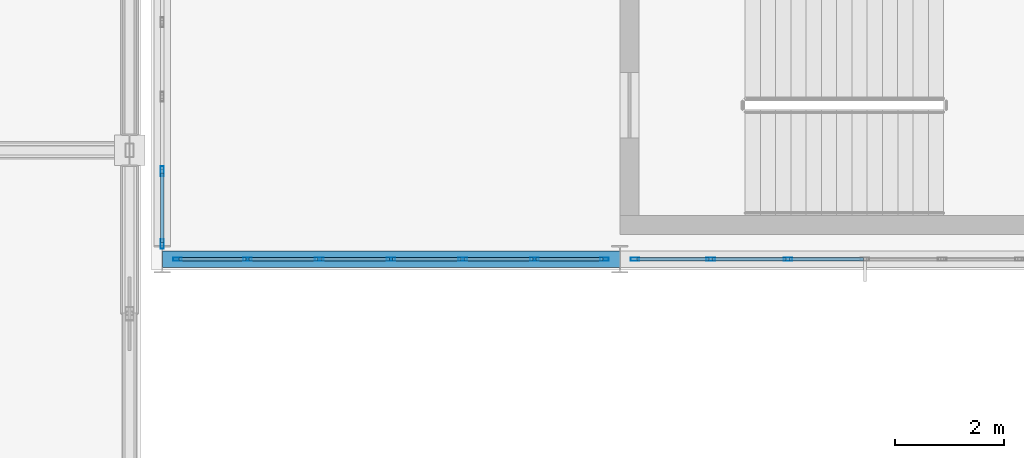
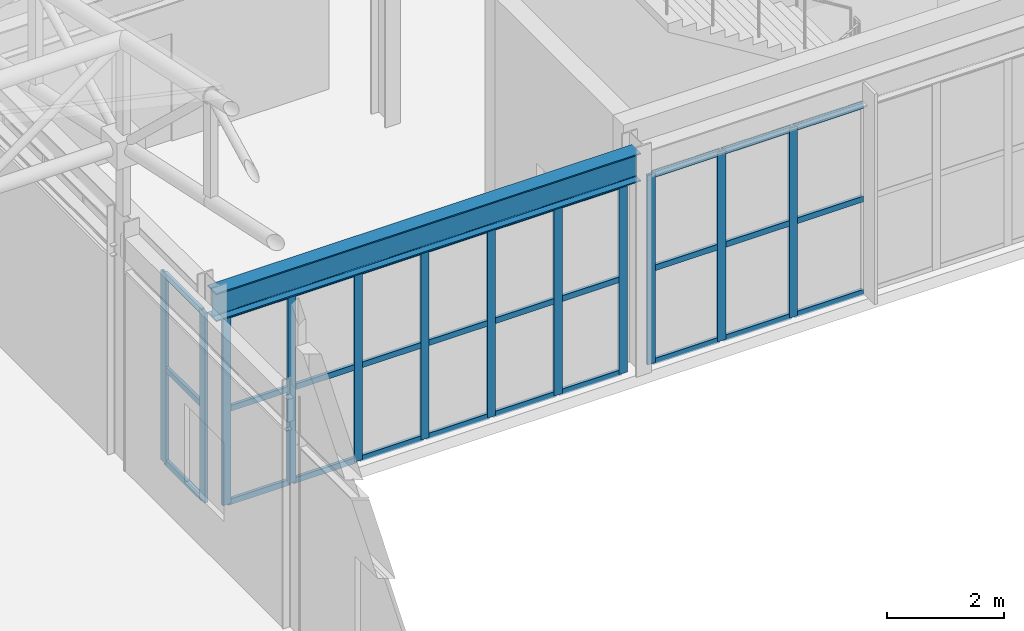
# One storey, part 25 of 112: 42 members, 1 beam, 3 elements without a shape of their own.
"""IFC4 building model written with IfcOpenShell, lengths in metres."""

from ifc_helpers import new_model, si_unit, direction, frame, origin, origin_2d, place, context, subcontext, project, spatial, hollow_rectangle, i_section, extrude, material, material_profile, profile_set, type_object, element, aggregate, save


model = new_model("IFC4")

# Units and contexts
model_context = context("Model", 3, precision=1e-05, world=origin(), true_north=direction((0.0, 1.0)))
body_context = subcontext(model_context, "Body", "Model", "MODEL_VIEW")
ifc_project = project(units=[si_unit("LENGTHUNIT", "METRE"), si_unit("AREAUNIT", "SQUARE_METRE"), si_unit("VOLUMEUNIT", "CUBIC_METRE"), si_unit("PLANEANGLEUNIT", "RADIAN"), si_unit("MASSUNIT", "GRAM", prefix="KILO")], contexts=[model_context])

# Site, building, storey
site_placement = place(None, origin())
site = spatial("IfcSite", under=ifc_project, at=site_placement, CompositionType="ELEMENT")
building_placement = place(site_placement, origin())
building = spatial("IfcBuilding", under=site, at=building_placement, Name="Kaldris Quays Convention Centre", CompositionType="ELEMENT")
storey_placement = place(building_placement, frame((0.0, 0.0, 16.800048828125)))
storey = spatial("IfcBuildingStorey", under=building, at=storey_placement, Name="L03", CompositionType="ELEMENT", Elevation=16.800048828125)

# Curtain wall, members
ifc_material_1 = material(Name="Anodized aluminium AW-6060 and triple glazing", Category="aluminium")
curtain_wall_type = type_object("IfcCurtainWallType", Name="UNITISED CURTAIN WALL CW04", PredefinedType="NOTDEFINED", material=ifc_material_1)
curtain_wall_1_placement = place(storey_placement, origin())
curtain_wall_1 = element("IfcCurtainWall", 1, at=curtain_wall_1_placement, inside=storey, type_object=curtain_wall_type, Name="L03 Unitised Curtain Wall CW04 121", PredefinedType="NOTDEFINED")
ifc_material_2 = material(Name="Anodized aluminium AW-6060", Category="aluminium")
ifc_material_profile_1 = material_profile(ifc_material_2, hollow_rectangle(XDim=0.06005859375, YDim=0.159912109375, WallThickness=0.00390625, at=origin_2d()), Name="RHS 160x60x4")
ifc_profile_set_1 = profile_set([ifc_material_profile_1], Name="Anodized aluminium AW-6060")
member_type_1 = type_object("IfcMemberType", Name="CURTAIN MULLION CWM1", PredefinedType="MULLION", material=ifc_profile_set_1)
member_1_placement = place(storey_placement, frame((83.8798828125, 38.0, 0.0), z_axis=(0.0, 0.0, 1.0), x_axis=(0.0, 1.0, 0.0)))
member_1 = element("IfcMember", 2, at=member_1_placement, type_object=member_type_1, Name="CW04 mullion 1", PredefinedType="MULLION", context=body_context, shape_type="SweptSolid", body=[
    extrude(hollow_rectangle(XDim=0.06005859375, YDim=0.159912109375, WallThickness=0.00390625, at=origin_2d()), origin(), (0.0, 0.0, 1.0), 3.96484375),
])
member_2_placement = place(storey_placement, frame((85.166748046875, 38.0, 0.0), z_axis=(0.0, 0.0, 1.0), x_axis=(0.0, 1.0, 0.0)))
member_2 = element("IfcMember", 3, at=member_2_placement, type_object=member_type_1, Name="CW04 mullion 2", PredefinedType="MULLION", context=body_context, shape_type="SweptSolid", body=[
    extrude(hollow_rectangle(XDim=0.06005859375, YDim=0.159912109375, WallThickness=0.00390625, at=origin_2d()), origin(), (0.0, 0.0, 1.0), 3.96484375),
])
member_3_placement = place(storey_placement, frame((86.4833984375, 38.0, 0.0), z_axis=(0.0, 0.0, 1.0), x_axis=(0.0, 1.0, 0.0)))
member_3 = element("IfcMember", 4, at=member_3_placement, type_object=member_type_1, Name="CW04 mullion 3", PredefinedType="MULLION", context=body_context, shape_type="SweptSolid", body=[
    extrude(hollow_rectangle(XDim=0.06005859375, YDim=0.159912109375, WallThickness=0.00390625, at=origin_2d()), origin(), (0.0, 0.0, 1.0), 3.96484375),
])
member_4_placement = place(storey_placement, frame((87.800048828125, 38.0, 0.0), z_axis=(0.0, 0.0, 1.0), x_axis=(0.0, 1.0, 0.0)))
member_4 = element("IfcMember", 5, at=member_4_placement, type_object=member_type_1, Name="CW04 mullion 4", PredefinedType="MULLION", context=body_context, shape_type="SweptSolid", body=[
    extrude(hollow_rectangle(XDim=0.06005859375, YDim=0.159912109375, WallThickness=0.00390625, at=origin_2d()), origin(), (0.0, 0.0, 1.0), 3.96484375),
])
member_5_placement = place(storey_placement, frame((89.11669921875, 38.0, 0.0), z_axis=(0.0, 0.0, 1.0), x_axis=(0.0, 1.0, 0.0)))
member_5 = element("IfcMember", 6, at=member_5_placement, type_object=member_type_1, Name="CW04 mullion 5", PredefinedType="MULLION", context=body_context, shape_type="SweptSolid", body=[
    extrude(hollow_rectangle(XDim=0.06005859375, YDim=0.159912109375, WallThickness=0.00390625, at=origin_2d()), origin(), (0.0, 0.0, 1.0), 3.96484375),
])
member_6_placement = place(storey_placement, frame((90.433349609375, 38.0, 0.0), z_axis=(0.0, 0.0, 1.0), x_axis=(0.0, 1.0, 0.0)))
member_6 = element("IfcMember", 7, at=member_6_placement, type_object=member_type_1, Name="CW04 mullion 6", PredefinedType="MULLION", context=body_context, shape_type="SweptSolid", body=[
    extrude(hollow_rectangle(XDim=0.06005859375, YDim=0.159912109375, WallThickness=0.00390625, at=origin_2d()), origin(), (0.0, 0.0, 1.0), 3.96484375),
])
member_7_placement = place(storey_placement, frame((91.719970703125, 38.0, 0.0), z_axis=(0.0, 0.0, 1.0), x_axis=(0.0, 1.0, 0.0)))
member_7 = element("IfcMember", 8, at=member_7_placement, type_object=member_type_1, Name="CW04 mullion 7", PredefinedType="MULLION", context=body_context, shape_type="SweptSolid", body=[
    extrude(hollow_rectangle(XDim=0.06005859375, YDim=0.159912109375, WallThickness=0.00390625, at=origin_2d()), origin(), (0.0, 0.0, 1.0), 3.96484375),
])

curtain_wall_2_placement = place(storey_placement, origin())
curtain_wall_2 = element("IfcCurtainWall", 9, at=curtain_wall_2_placement, inside=storey, type_object=curtain_wall_type, Name="L03 Unitised Curtain Wall CW04 122", PredefinedType="NOTDEFINED")
member_8_placement = place(storey_placement, frame((92.280029296875, 38.0, 0.0), z_axis=(0.0, 0.0, 1.0), x_axis=(0.0, 1.0, 0.0)))
member_8 = element("IfcMember", 10, at=member_8_placement, type_object=member_type_1, Name="CW04 mullion 1", PredefinedType="MULLION", context=body_context, shape_type="SweptSolid", body=[
    extrude(hollow_rectangle(XDim=0.06005859375, YDim=0.159912109375, WallThickness=0.00390625, at=origin_2d()), origin(), (0.0, 0.0, 1.0), 3.96484375),
])
member_9_placement = place(storey_placement, frame((93.666748046875, 38.0, 0.0), z_axis=(0.0, 0.0, 1.0), x_axis=(0.0, 1.0, 0.0)))
member_9 = element("IfcMember", 11, at=member_9_placement, type_object=member_type_1, Name="CW04 mullion 2", PredefinedType="MULLION", context=body_context, shape_type="SweptSolid", body=[
    extrude(hollow_rectangle(XDim=0.06005859375, YDim=0.159912109375, WallThickness=0.00390625, at=origin_2d()), origin(), (0.0, 0.0, 1.0), 3.96484375),
])
member_10_placement = place(storey_placement, frame((95.083251953125, 38.0, 0.0), z_axis=(0.0, 0.0, 1.0), x_axis=(0.0, 1.0, 0.0)))
member_10 = element("IfcMember", 12, at=member_10_placement, type_object=member_type_1, Name="CW04 mullion 3", PredefinedType="MULLION", context=body_context, shape_type="SweptSolid", body=[
    extrude(hollow_rectangle(XDim=0.06005859375, YDim=0.159912109375, WallThickness=0.00390625, at=origin_2d()), origin(), (0.0, 0.0, 1.0), 3.96484375),
])

curtain_wall_3_placement = place(storey_placement, origin())
curtain_wall_3 = element("IfcCurtainWall", 13, at=curtain_wall_3_placement, inside=storey, type_object=curtain_wall_type, Name="L03 Unitised Curtain Wall CW04 128", PredefinedType="NOTDEFINED")
ifc_material_profile_2 = material_profile(ifc_material_2, hollow_rectangle(XDim=0.06005859375, YDim=0.179931640625, WallThickness=0.0048828125, at=origin_2d()), Name="RHS 180x60x5")
ifc_profile_set_2 = profile_set([ifc_material_profile_2], Name="Anodized aluminium AW-6060")
member_type_2 = type_object("IfcMemberType", Name="CURTAIN MULLION CWM2", PredefinedType="MULLION", material=ifc_profile_set_2)
member_11_placement = place(storey_placement, frame((83.60009765625, 38.280029296875, 0.0), z_axis=(0.0, 0.0, 1.0), x_axis=(-1.0, 0.0, 0.0)))
member_11 = element("IfcMember", 14, at=member_11_placement, type_object=member_type_2, Name="CW04 mullion 1", PredefinedType="MULLION", context=body_context, shape_type="SweptSolid", body=[
    extrude(hollow_rectangle(XDim=0.06005859375, YDim=0.179931640625, WallThickness=0.0048828125, at=origin_2d()), origin(), (0.0, 0.0, 1.0), 3.96484375),
])
member_12_placement = place(storey_placement, frame((83.60009765625, 39.61669921875, 0.0), z_axis=(0.0, 0.0, 1.0), x_axis=(-1.0, 0.0, 0.0)))
member_12 = element("IfcMember", 15, at=member_12_placement, type_object=member_type_2, Name="CW04 mullion 2", PredefinedType="MULLION", context=body_context, shape_type="SweptSolid", body=[
    extrude(hollow_rectangle(XDim=0.06005859375, YDim=0.179931640625, WallThickness=0.0048828125, at=origin_2d()), origin(), (0.0, 0.0, 1.0), 3.96484375),
])

# Member
ifc_material_profile_3 = material_profile(ifc_material_2, hollow_rectangle(XDim=0.06005859375, YDim=0.1201171875, WallThickness=0.00390625, at=origin_2d()), Name="RHS 120x60x4")
ifc_profile_set_3 = profile_set([ifc_material_profile_3], Name="Anodized aluminium AW-6060")
member_type_3 = type_object("IfcMemberType", Name="CURTAIN TRANSOM CWT1", PredefinedType="USERDEFINED", material=ifc_profile_set_3)
member_13_placement = place(storey_placement, frame((83.909912109375, 38.0, 0.030029296875), z_axis=(1.0, 0.0, 0.0), x_axis=(0.0, 1.0, 0.0)))
member_13 = element("IfcMember", 16, at=member_13_placement, type_object=member_type_3, Name="CW04 transom 1.1", ObjectType="TRANSOM", PredefinedType="USERDEFINED", context=body_context, shape_type="SweptSolid", body=[
    extrude(hollow_rectangle(XDim=0.06005859375, YDim=0.1201171875, WallThickness=0.00390625, at=origin_2d()), origin(), (0.0, 0.0, 1.0), 1.226806640625),
])

member_14_placement = place(storey_placement, frame((83.909912109375, 38.0, 1.98193359375), z_axis=(1.0, 0.0, 0.0), x_axis=(0.0, 1.0, 0.0)))
member_14 = element("IfcMember", 17, at=member_14_placement, type_object=member_type_3, Name="CW04 transom 1.2", ObjectType="TRANSOM", PredefinedType="USERDEFINED", context=body_context, shape_type="SweptSolid", body=[
    extrude(hollow_rectangle(XDim=0.06005859375, YDim=0.1201171875, WallThickness=0.00390625, at=origin_2d()), origin(), (0.0, 0.0, 1.0), 1.226806640625),
])

member_15_placement = place(storey_placement, frame((83.909912109375, 38.0, 3.93505859375), z_axis=(1.0, 0.0, 0.0), x_axis=(0.0, 1.0, 0.0)))
member_15 = element("IfcMember", 18, at=member_15_placement, type_object=member_type_3, Name="CW04 transom 1.3", ObjectType="TRANSOM", PredefinedType="USERDEFINED", context=body_context, shape_type="SweptSolid", body=[
    extrude(hollow_rectangle(XDim=0.06005859375, YDim=0.1201171875, WallThickness=0.00390625, at=origin_2d()), origin(), (0.0, 0.0, 1.0), 1.226806640625),
])

member_16_placement = place(storey_placement, frame((85.19677734375, 38.0, 0.030029296875), z_axis=(1.0, 0.0, 0.0), x_axis=(0.0, 1.0, 0.0)))
member_16 = element("IfcMember", 19, at=member_16_placement, type_object=member_type_3, Name="CW04 transom 2.1", ObjectType="TRANSOM", PredefinedType="USERDEFINED", context=body_context, shape_type="SweptSolid", body=[
    extrude(hollow_rectangle(XDim=0.06005859375, YDim=0.1201171875, WallThickness=0.00390625, at=origin_2d()), origin(), (0.0, 0.0, 1.0), 1.256591796875),
])

member_17_placement = place(storey_placement, frame((85.19677734375, 38.0, 1.98193359375), z_axis=(1.0, 0.0, 0.0), x_axis=(0.0, 1.0, 0.0)))
member_17 = element("IfcMember", 20, at=member_17_placement, type_object=member_type_3, Name="CW04 transom 2.2", ObjectType="TRANSOM", PredefinedType="USERDEFINED", context=body_context, shape_type="SweptSolid", body=[
    extrude(hollow_rectangle(XDim=0.06005859375, YDim=0.1201171875, WallThickness=0.00390625, at=origin_2d()), origin(), (0.0, 0.0, 1.0), 1.256591796875),
])

member_18_placement = place(storey_placement, frame((85.19677734375, 38.0, 3.93505859375), z_axis=(1.0, 0.0, 0.0), x_axis=(0.0, 1.0, 0.0)))
member_18 = element("IfcMember", 21, at=member_18_placement, type_object=member_type_3, Name="CW04 transom 2.3", ObjectType="TRANSOM", PredefinedType="USERDEFINED", context=body_context, shape_type="SweptSolid", body=[
    extrude(hollow_rectangle(XDim=0.06005859375, YDim=0.1201171875, WallThickness=0.00390625, at=origin_2d()), origin(), (0.0, 0.0, 1.0), 1.256591796875),
])

member_19_placement = place(storey_placement, frame((86.513427734375, 38.0, 0.030029296875), z_axis=(1.0, 0.0, 0.0), x_axis=(0.0, 1.0, 0.0)))
member_19 = element("IfcMember", 22, at=member_19_placement, type_object=member_type_3, Name="CW04 transom 3.1", ObjectType="TRANSOM", PredefinedType="USERDEFINED", context=body_context, shape_type="SweptSolid", body=[
    extrude(hollow_rectangle(XDim=0.06005859375, YDim=0.1201171875, WallThickness=0.00390625, at=origin_2d()), origin(), (0.0, 0.0, 1.0), 1.256591796875),
])

member_20_placement = place(storey_placement, frame((86.513427734375, 38.0, 1.98193359375), z_axis=(1.0, 0.0, 0.0), x_axis=(0.0, 1.0, 0.0)))
member_20 = element("IfcMember", 23, at=member_20_placement, type_object=member_type_3, Name="CW04 transom 3.2", ObjectType="TRANSOM", PredefinedType="USERDEFINED", context=body_context, shape_type="SweptSolid", body=[
    extrude(hollow_rectangle(XDim=0.06005859375, YDim=0.1201171875, WallThickness=0.00390625, at=origin_2d()), origin(), (0.0, 0.0, 1.0), 1.256591796875),
])

member_21_placement = place(storey_placement, frame((86.513427734375, 38.0, 3.93505859375), z_axis=(1.0, 0.0, 0.0), x_axis=(0.0, 1.0, 0.0)))
member_21 = element("IfcMember", 24, at=member_21_placement, type_object=member_type_3, Name="CW04 transom 3.3", ObjectType="TRANSOM", PredefinedType="USERDEFINED", context=body_context, shape_type="SweptSolid", body=[
    extrude(hollow_rectangle(XDim=0.06005859375, YDim=0.1201171875, WallThickness=0.00390625, at=origin_2d()), origin(), (0.0, 0.0, 1.0), 1.256591796875),
])

member_22_placement = place(storey_placement, frame((87.830078125, 38.0, 0.030029296875), z_axis=(1.0, 0.0, 0.0), x_axis=(0.0, 1.0, 0.0)))
member_22 = element("IfcMember", 25, at=member_22_placement, type_object=member_type_3, Name="CW04 transom 4.1", ObjectType="TRANSOM", PredefinedType="USERDEFINED", context=body_context, shape_type="SweptSolid", body=[
    extrude(hollow_rectangle(XDim=0.06005859375, YDim=0.1201171875, WallThickness=0.00390625, at=origin_2d()), origin(), (0.0, 0.0, 1.0), 1.256591796875),
])

member_23_placement = place(storey_placement, frame((87.830078125, 38.0, 1.98193359375), z_axis=(1.0, 0.0, 0.0), x_axis=(0.0, 1.0, 0.0)))
member_23 = element("IfcMember", 26, at=member_23_placement, type_object=member_type_3, Name="CW04 transom 4.2", ObjectType="TRANSOM", PredefinedType="USERDEFINED", context=body_context, shape_type="SweptSolid", body=[
    extrude(hollow_rectangle(XDim=0.06005859375, YDim=0.1201171875, WallThickness=0.00390625, at=origin_2d()), origin(), (0.0, 0.0, 1.0), 1.256591796875),
])

member_24_placement = place(storey_placement, frame((87.830078125, 38.0, 3.93505859375), z_axis=(1.0, 0.0, 0.0), x_axis=(0.0, 1.0, 0.0)))
member_24 = element("IfcMember", 27, at=member_24_placement, type_object=member_type_3, Name="CW04 transom 4.3", ObjectType="TRANSOM", PredefinedType="USERDEFINED", context=body_context, shape_type="SweptSolid", body=[
    extrude(hollow_rectangle(XDim=0.06005859375, YDim=0.1201171875, WallThickness=0.00390625, at=origin_2d()), origin(), (0.0, 0.0, 1.0), 1.256591796875),
])

member_25_placement = place(storey_placement, frame((89.146728515625, 38.0, 0.030029296875), z_axis=(1.0, 0.0, 0.0), x_axis=(0.0, 1.0, 0.0)))
member_25 = element("IfcMember", 28, at=member_25_placement, type_object=member_type_3, Name="CW04 transom 5.1", ObjectType="TRANSOM", PredefinedType="USERDEFINED", context=body_context, shape_type="SweptSolid", body=[
    extrude(hollow_rectangle(XDim=0.06005859375, YDim=0.1201171875, WallThickness=0.00390625, at=origin_2d()), origin(), (0.0, 0.0, 1.0), 1.256591796875),
])

member_26_placement = place(storey_placement, frame((89.146728515625, 38.0, 1.98193359375), z_axis=(1.0, 0.0, 0.0), x_axis=(0.0, 1.0, 0.0)))
member_26 = element("IfcMember", 29, at=member_26_placement, type_object=member_type_3, Name="CW04 transom 5.2", ObjectType="TRANSOM", PredefinedType="USERDEFINED", context=body_context, shape_type="SweptSolid", body=[
    extrude(hollow_rectangle(XDim=0.06005859375, YDim=0.1201171875, WallThickness=0.00390625, at=origin_2d()), origin(), (0.0, 0.0, 1.0), 1.256591796875),
])

member_27_placement = place(storey_placement, frame((89.146728515625, 38.0, 3.93505859375), z_axis=(1.0, 0.0, 0.0), x_axis=(0.0, 1.0, 0.0)))
member_27 = element("IfcMember", 30, at=member_27_placement, type_object=member_type_3, Name="CW04 transom 5.3", ObjectType="TRANSOM", PredefinedType="USERDEFINED", context=body_context, shape_type="SweptSolid", body=[
    extrude(hollow_rectangle(XDim=0.06005859375, YDim=0.1201171875, WallThickness=0.00390625, at=origin_2d()), origin(), (0.0, 0.0, 1.0), 1.256591796875),
])

member_28_placement = place(storey_placement, frame((90.46337890625, 38.0, 0.030029296875), z_axis=(1.0, 0.0, 0.0), x_axis=(0.0, 1.0, 0.0)))
member_28 = element("IfcMember", 31, at=member_28_placement, type_object=member_type_3, Name="CW04 transom 6.1", ObjectType="TRANSOM", PredefinedType="USERDEFINED", context=body_context, shape_type="SweptSolid", body=[
    extrude(hollow_rectangle(XDim=0.06005859375, YDim=0.1201171875, WallThickness=0.00390625, at=origin_2d()), origin(), (0.0, 0.0, 1.0), 1.2265625),
])

member_29_placement = place(storey_placement, frame((90.46337890625, 38.0, 1.98193359375), z_axis=(1.0, 0.0, 0.0), x_axis=(0.0, 1.0, 0.0)))
member_29 = element("IfcMember", 32, at=member_29_placement, type_object=member_type_3, Name="CW04 transom 6.2", ObjectType="TRANSOM", PredefinedType="USERDEFINED", context=body_context, shape_type="SweptSolid", body=[
    extrude(hollow_rectangle(XDim=0.06005859375, YDim=0.1201171875, WallThickness=0.00390625, at=origin_2d()), origin(), (0.0, 0.0, 1.0), 1.2265625),
])

member_30_placement = place(storey_placement, frame((90.46337890625, 38.0, 3.93505859375), z_axis=(1.0, 0.0, 0.0), x_axis=(0.0, 1.0, 0.0)))
member_30 = element("IfcMember", 33, at=member_30_placement, type_object=member_type_3, Name="CW04 transom 6.3", ObjectType="TRANSOM", PredefinedType="USERDEFINED", context=body_context, shape_type="SweptSolid", body=[
    extrude(hollow_rectangle(XDim=0.06005859375, YDim=0.1201171875, WallThickness=0.00390625, at=origin_2d()), origin(), (0.0, 0.0, 1.0), 1.2265625),
])

aggregate(curtain_wall_1, [member_1, member_2, member_3, member_4, member_5, member_6, member_7, member_13, member_14, member_15, member_16, member_17, member_18, member_19, member_20, member_21, member_22, member_23, member_24, member_25, member_26, member_27, member_28, member_29, member_30])

member_31_placement = place(storey_placement, frame((92.31005859375, 38.0, 0.030029296875), z_axis=(1.0, 0.0, 0.0), x_axis=(0.0, 1.0, 0.0)))
member_31 = element("IfcMember", 34, at=member_31_placement, type_object=member_type_3, Name="CW04 transom 1.1", ObjectType="TRANSOM", PredefinedType="USERDEFINED", context=body_context, shape_type="SweptSolid", body=[
    extrude(hollow_rectangle(XDim=0.06005859375, YDim=0.1201171875, WallThickness=0.00390625, at=origin_2d()), origin(), (0.0, 0.0, 1.0), 1.32666015625),
])

member_32_placement = place(storey_placement, frame((92.31005859375, 38.0, 1.98193359375), z_axis=(1.0, 0.0, 0.0), x_axis=(0.0, 1.0, 0.0)))
member_32 = element("IfcMember", 35, at=member_32_placement, type_object=member_type_3, Name="CW04 transom 1.2", ObjectType="TRANSOM", PredefinedType="USERDEFINED", context=body_context, shape_type="SweptSolid", body=[
    extrude(hollow_rectangle(XDim=0.06005859375, YDim=0.1201171875, WallThickness=0.00390625, at=origin_2d()), origin(), (0.0, 0.0, 1.0), 1.32666015625),
])

member_33_placement = place(storey_placement, frame((92.31005859375, 38.0, 3.93505859375), z_axis=(1.0, 0.0, 0.0), x_axis=(0.0, 1.0, 0.0)))
member_33 = element("IfcMember", 36, at=member_33_placement, type_object=member_type_3, Name="CW04 transom 1.3", ObjectType="TRANSOM", PredefinedType="USERDEFINED", context=body_context, shape_type="SweptSolid", body=[
    extrude(hollow_rectangle(XDim=0.06005859375, YDim=0.1201171875, WallThickness=0.00390625, at=origin_2d()), origin(), (0.0, 0.0, 1.0), 1.32666015625),
])

member_34_placement = place(storey_placement, frame((93.69677734375, 38.0, 0.030029296875), z_axis=(1.0, 0.0, 0.0), x_axis=(0.0, 1.0, 0.0)))
member_34 = element("IfcMember", 37, at=member_34_placement, type_object=member_type_3, Name="CW04 transom 2.1", ObjectType="TRANSOM", PredefinedType="USERDEFINED", context=body_context, shape_type="SweptSolid", body=[
    extrude(hollow_rectangle(XDim=0.06005859375, YDim=0.1201171875, WallThickness=0.00390625, at=origin_2d()), origin(), (0.0, 0.0, 1.0), 1.3564453125),
])

member_35_placement = place(storey_placement, frame((93.69677734375, 38.0, 1.98193359375), z_axis=(1.0, 0.0, 0.0), x_axis=(0.0, 1.0, 0.0)))
member_35 = element("IfcMember", 38, at=member_35_placement, type_object=member_type_3, Name="CW04 transom 2.2", ObjectType="TRANSOM", PredefinedType="USERDEFINED", context=body_context, shape_type="SweptSolid", body=[
    extrude(hollow_rectangle(XDim=0.06005859375, YDim=0.1201171875, WallThickness=0.00390625, at=origin_2d()), origin(), (0.0, 0.0, 1.0), 1.3564453125),
])

member_36_placement = place(storey_placement, frame((93.69677734375, 38.0, 3.93505859375), z_axis=(1.0, 0.0, 0.0), x_axis=(0.0, 1.0, 0.0)))
member_36 = element("IfcMember", 39, at=member_36_placement, type_object=member_type_3, Name="CW04 transom 2.3", ObjectType="TRANSOM", PredefinedType="USERDEFINED", context=body_context, shape_type="SweptSolid", body=[
    extrude(hollow_rectangle(XDim=0.06005859375, YDim=0.1201171875, WallThickness=0.00390625, at=origin_2d()), origin(), (0.0, 0.0, 1.0), 1.3564453125),
])

member_37_placement = place(storey_placement, frame((95.11328125, 38.0, 0.030029296875), z_axis=(1.0, 0.0, 0.0), x_axis=(0.0, 1.0, 0.0)))
member_37 = element("IfcMember", 40, at=member_37_placement, type_object=member_type_3, Name="CW04 transom 3.1", ObjectType="TRANSOM", PredefinedType="USERDEFINED", context=body_context, shape_type="SweptSolid", body=[
    extrude(hollow_rectangle(XDim=0.06005859375, YDim=0.1201171875, WallThickness=0.00390625, at=origin_2d()), origin(), (0.0, 0.0, 1.0), 1.356689453125),
])

member_38_placement = place(storey_placement, frame((95.11328125, 38.0, 1.98193359375), z_axis=(1.0, 0.0, 0.0), x_axis=(0.0, 1.0, 0.0)))
member_38 = element("IfcMember", 41, at=member_38_placement, type_object=member_type_3, Name="CW04 transom 3.2", ObjectType="TRANSOM", PredefinedType="USERDEFINED", context=body_context, shape_type="SweptSolid", body=[
    extrude(hollow_rectangle(XDim=0.06005859375, YDim=0.1201171875, WallThickness=0.00390625, at=origin_2d()), origin(), (0.0, 0.0, 1.0), 1.356689453125),
])

member_39_placement = place(storey_placement, frame((95.11328125, 38.0, 3.93505859375), z_axis=(1.0, 0.0, 0.0), x_axis=(0.0, 1.0, 0.0)))
member_39 = element("IfcMember", 42, at=member_39_placement, type_object=member_type_3, Name="CW04 transom 3.3", ObjectType="TRANSOM", PredefinedType="USERDEFINED", context=body_context, shape_type="SweptSolid", body=[
    extrude(hollow_rectangle(XDim=0.06005859375, YDim=0.1201171875, WallThickness=0.00390625, at=origin_2d()), origin(), (0.0, 0.0, 1.0), 1.356689453125),
])

aggregate(curtain_wall_2, [member_8, member_9, member_10, member_31, member_32, member_33, member_34, member_35, member_36, member_37, member_38, member_39])

member_40_placement = place(storey_placement, frame((83.60009765625, 38.31005859375, 0.030029296875), z_axis=(0.0, 1.0, 0.0), x_axis=(-1.0, 0.0, 0.0)))
member_40 = element("IfcMember", 43, at=member_40_placement, type_object=member_type_3, Name="CW04 transom 1.1", ObjectType="TRANSOM", PredefinedType="USERDEFINED", context=body_context, shape_type="SweptSolid", body=[
    extrude(hollow_rectangle(XDim=0.06005859375, YDim=0.1201171875, WallThickness=0.00390625, at=origin_2d()), origin(), (0.0, 0.0, 1.0), 1.276611328125),
])

member_41_placement = place(storey_placement, frame((83.60009765625, 38.31005859375, 1.98193359375), z_axis=(0.0, 1.0, 0.0), x_axis=(-1.0, 0.0, 0.0)))
member_41 = element("IfcMember", 44, at=member_41_placement, type_object=member_type_3, Name="CW04 transom 1.2", ObjectType="TRANSOM", PredefinedType="USERDEFINED", context=body_context, shape_type="SweptSolid", body=[
    extrude(hollow_rectangle(XDim=0.06005859375, YDim=0.1201171875, WallThickness=0.00390625, at=origin_2d()), origin(), (0.0, 0.0, 1.0), 1.276611328125),
])

member_42_placement = place(storey_placement, frame((83.60009765625, 38.31005859375, 3.93505859375), z_axis=(0.0, 1.0, 0.0), x_axis=(-1.0, 0.0, 0.0)))
member_42 = element("IfcMember", 45, at=member_42_placement, type_object=member_type_3, Name="CW04 transom 1.3", ObjectType="TRANSOM", PredefinedType="USERDEFINED", context=body_context, shape_type="SweptSolid", body=[
    extrude(hollow_rectangle(XDim=0.06005859375, YDim=0.1201171875, WallThickness=0.00390625, at=origin_2d()), origin(), (0.0, 0.0, 1.0), 1.276611328125),
])

aggregate(curtain_wall_3, [member_11, member_12, member_40, member_41, member_42])

# Beam
ifc_material_3 = material(Name="Steel S355J2", Category="steel")
ifc_material_profile_4 = material_profile(ifc_material_3, i_section(OverallWidth=0.300048828125, OverallDepth=0.590087890625, WebThickness=0.012939453125, FlangeThickness=0.02490234375, FilletRadius=0.027099609375, at=origin_2d()), Name="HEA 600")
ifc_profile_set_4 = profile_set([ifc_material_profile_4], Name="Steel S355J2")
beam_type = type_object("IfcBeamType", Name="STRUCTURAL BEAM BM08", PredefinedType="BEAM", material=ifc_profile_set_4)
beam_placement = place(storey_placement, frame((83.601318359375, 38.0, 4.284912109375), z_axis=(1.0, 0.0, 0.0), x_axis=(0.0, 1.0, 0.0)))
element("IfcBeam", 46, at=beam_placement, inside=storey, type_object=beam_type, Name="L03 Girder BM08 1", PredefinedType="BEAM", context=body_context, shape_type="SweptSolid", body=[
    extrude(i_section(OverallWidth=0.300048828125, OverallDepth=0.590087890625, WebThickness=0.012939453125, FlangeThickness=0.02490234375, FilletRadius=0.027099609375, at=origin_2d()), origin(), (0.0, 0.0, 1.0), 8.3974609375),
])

save(model, "model.ifc")
